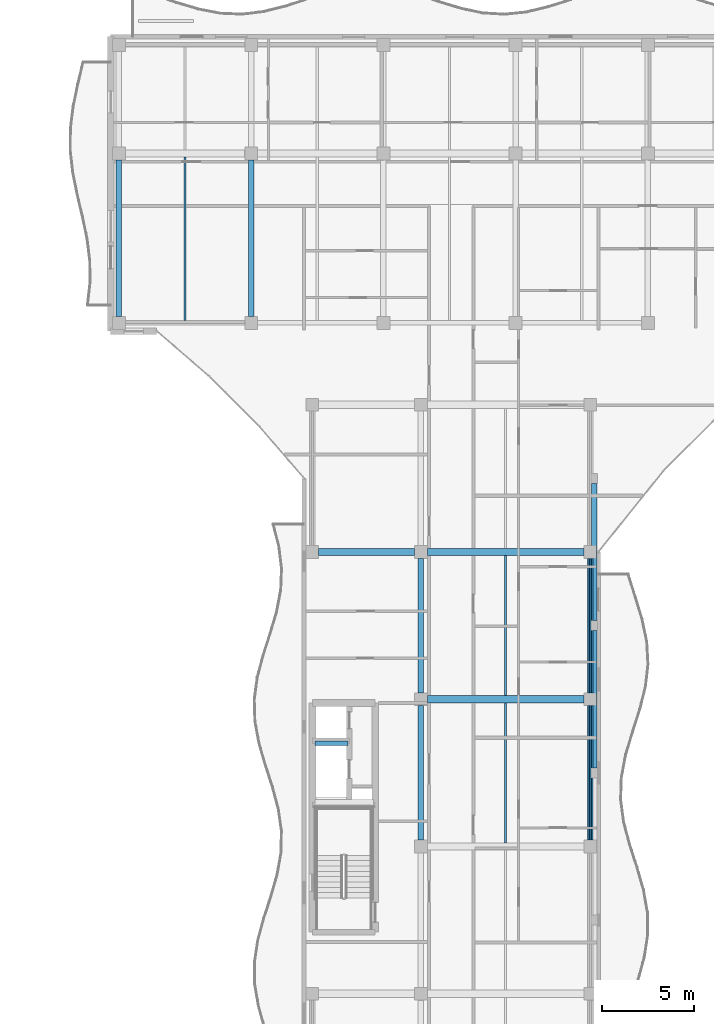
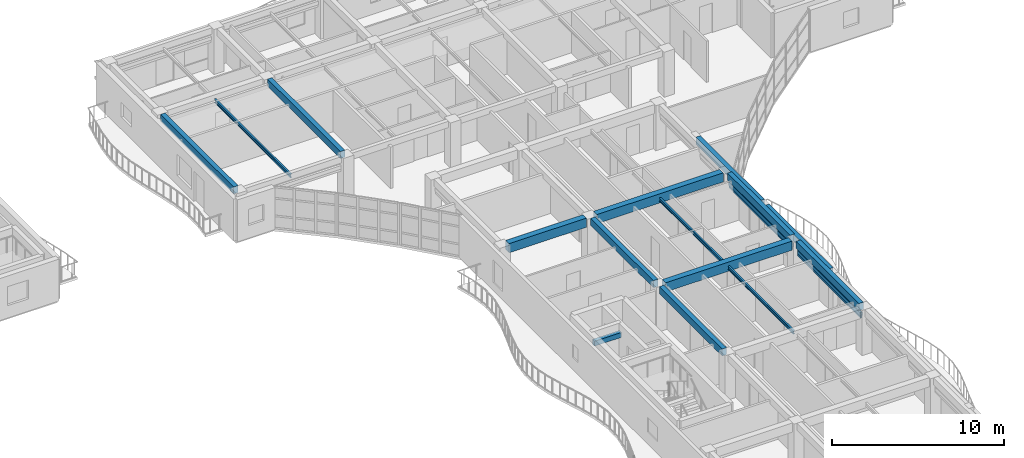
# One storey, part 52 of 128: 15 beams, 4 members.
"""IFC4 building model written with IfcOpenShell, lengths in metres."""

from ifc_helpers import new_model, si_unit, direction, frame, origin, origin_2d, place, context, subcontext, project, spatial, rectangle, hollow_rectangle, i_section, extrude, material, material_profile, profile_set, type_object, element, save


model = new_model("IFC4")

# Units and contexts
model_context = context("Model", 3, precision=1e-05, world=origin(), true_north=direction((0.0, 1.0)))
body_context = subcontext(model_context, "Body", "Model", "MODEL_VIEW")
ifc_project = project(units=[si_unit("LENGTHUNIT", "METRE"), si_unit("AREAUNIT", "SQUARE_METRE"), si_unit("VOLUMEUNIT", "CUBIC_METRE"), si_unit("PLANEANGLEUNIT", "RADIAN"), si_unit("MASSUNIT", "GRAM", prefix="KILO")], contexts=[model_context])

# Site, building, storey
site_placement = place(None, origin())
site = spatial("IfcSite", under=ifc_project, at=site_placement, CompositionType="ELEMENT")
building_placement = place(site_placement, origin())
building = spatial("IfcBuilding", under=site, at=building_placement, Name="Keldmere Railside Commons", CompositionType="ELEMENT")
storey_placement = place(building_placement, frame((0.0, 0.0, 4.159912109375)))
storey = spatial("IfcBuildingStorey", under=building, at=storey_placement, Name="L01", CompositionType="ELEMENT", Elevation=4.159912109375)

# Members
ifc_material_1 = material(Name="Steel F-36 (S355)", Category="steel")
ifc_material_profile_1 = material_profile(ifc_material_1, hollow_rectangle(XDim=0.14990234375, YDim=0.25, WallThickness=0.010009765625, at=origin_2d()), Name="RHS-250x150x10")
ifc_profile_set_1 = profile_set([ifc_material_profile_1], Name="Steel F-36 (S355)")
member_type_1 = type_object("IfcMemberType", Name="Balcony Continuous Planted Trough RHS250x150", PredefinedType="CHORD", material=ifc_profile_set_1)
for number, where, z_axis, x_axis, name in (
    (1, (119.550048828125, 72.35009765625, 2.4150390625), (0.0, 1.0, 0.0), (-1.0, 0.0, 0.0), "PLT-1 MEM-BPLT-0175"),
    (2, (119.550048828125, 80.35009765625, 2.4150390625), (0.0, 1.0, 0.0), (-1.0, 0.0, 0.0), "PLT-1 MEM-BPLT-0177"),
):
    element("IfcMember", number, at=place(storey_placement, frame(where, z_axis=z_axis, x_axis=x_axis)), inside=storey, type_object=member_type_1, Name=name, PredefinedType="CHORD", context=body_context, shape_type="SweptSolid", body=[
        extrude(hollow_rectangle(XDim=0.14990234375, YDim=0.25, WallThickness=0.010009765625, at=origin_2d()), origin(), (0.0, 0.0, 1.0), 7.2998046875),
    ])

# Beams
ifc_material_2 = material(Name="Concrete H-30 (C30/37)", Category="concrete")
ifc_material_profile_2 = material_profile(ifc_material_2, rectangle(XDim=0.25, YDim=0.35009765625, at=origin_2d()), Name="RC-250x350")
ifc_profile_set_2 = profile_set([ifc_material_profile_2], Name="Concrete H-30 (C30/37)")
beam_type_1 = type_object("IfcBeamType", Name="Masonry Opening RC Lintel 250x350", PredefinedType="LINTEL", material=ifc_profile_set_2)
beam_1_placement = place(storey_placement, frame((104.590087890625, 77.60009765625, 2.425048828125), z_axis=(1.0, 0.0, 0.0), x_axis=(0.0, 1.0, 0.0)))
element("IfcBeam", 3, at=beam_1_placement, inside=storey, type_object=beam_type_1, Name="LNT-1 BM-L01-2558", PredefinedType="LINTEL", context=body_context, shape_type="SweptSolid", body=[
    extrude(rectangle(XDim=0.25, YDim=0.35009765625, at=origin_2d()), origin(), (0.0, 0.0, 1.0), 1.809814453125),
])
ifc_material_profile_3 = material_profile(ifc_material_1, i_section(OverallWidth=0.1201171875, OverallDepth=0.239990234375, WebThickness=0.006103515625, FlangeThickness=0.009765625, at=origin_2d()), Name="IPE-240")
ifc_profile_set_3 = profile_set([ifc_material_profile_3], Name="Steel F-36 (S355)")
beam_type_2 = type_object("IfcBeamType", Name="Nursery & Mezzanine Steel Joist IPE240", PredefinedType="JOIST", material=ifc_profile_set_3)
for number, where, z_axis, x_axis, name in (
    (4, (114.949951171875, 72.199951171875, 2.81005859375), (0.0, 1.0, 0.0), (-1.0, 0.0, 0.0), "JST-2 BM-L01-1009"),
    (5, (114.949951171875, 80.199951171875, 2.81005859375), (0.0, 1.0, 0.0), (-1.0, 0.0, 0.0), "JST-2 BM-L01-1012"),
):
    element("IfcBeam", number, at=place(storey_placement, frame(where, z_axis=z_axis, x_axis=x_axis)), inside=storey, type_object=beam_type_2, Name=name, PredefinedType="JOIST", context=body_context, shape_type="SweptSolid", body=[
        extrude(i_section(OverallWidth=0.1201171875, OverallDepth=0.239990234375, WebThickness=0.006103515625, FlangeThickness=0.009765625, at=origin_2d()), origin(), (0.0, 0.0, 1.0), 7.60009765625),
    ])
beam_2_placement = place(storey_placement, frame((97.541015625, 100.574951171875, 2.81005859375), z_axis=(0.0, 1.0, 0.0), x_axis=(-1.0, 0.0, 0.0)))
element("IfcBeam", 6, at=beam_2_placement, inside=storey, type_object=beam_type_2, Name="JST-2 BM-L01-1023", PredefinedType="JOIST", context=body_context, shape_type="SweptSolid", body=[
    extrude(i_section(OverallWidth=0.1201171875, OverallDepth=0.239990234375, WebThickness=0.006103515625, FlangeThickness=0.009765625, at=origin_2d()), origin(), (0.0, 0.0, 1.0), 8.875),
])
ifc_material_profile_4 = material_profile(ifc_material_2, rectangle(XDim=0.39990234375, YDim=0.64990234375, at=origin_2d()), Name="RC-400x650")
ifc_profile_set_4 = profile_set([ifc_material_profile_4], Name="Concrete H-30 (C30/37)")
beam_type_3 = type_object("IfcBeamType", Name="Residential Spine RC Girder 400x650", PredefinedType="BEAM", material=ifc_profile_set_4)
beam_3_placement = place(storey_placement, frame((110.699951171875, 80.0, 2.875), z_axis=(1.0, 0.0, 0.0), x_axis=(0.0, 1.0, 0.0)))
element("IfcBeam", 7, at=beam_3_placement, inside=storey, type_object=beam_type_3, Name="BG-3 BM-L01-0801", PredefinedType="BEAM", context=body_context, shape_type="SweptSolid", body=[
    extrude(rectangle(XDim=0.39990234375, YDim=0.64990234375, at=origin_2d()), origin(), (0.0, 0.0, 1.0), 8.5),
])
beam_4_placement = place(storey_placement, frame((104.800048828125, 88.0, 2.875), z_axis=(1.0, 0.0, 0.0), x_axis=(0.0, 1.0, 0.0)))
element("IfcBeam", 8, at=beam_4_placement, inside=storey, type_object=beam_type_3, Name="BG-3 BM-L01-0807", PredefinedType="BEAM", context=body_context, shape_type="SweptSolid", body=[
    extrude(rectangle(XDim=0.39990234375, YDim=0.64990234375, at=origin_2d()), origin(), (0.0, 0.0, 1.0), 5.199951171875),
])
beam_5_placement = place(storey_placement, frame((110.699951171875, 88.0, 2.875), z_axis=(1.0, 0.0, 0.0), x_axis=(0.0, 1.0, 0.0)))
element("IfcBeam", 9, at=beam_5_placement, inside=storey, type_object=beam_type_3, Name="BG-3 BM-L01-0808", PredefinedType="BEAM", context=body_context, shape_type="SweptSolid", body=[
    extrude(rectangle(XDim=0.39990234375, YDim=0.64990234375, at=origin_2d()), origin(), (0.0, 0.0, 1.0), 8.5),
])
ifc_material_profile_5 = material_profile(ifc_material_2, rectangle(XDim=0.300048828125, YDim=0.5, at=origin_2d()), Name="RC-300x500")
ifc_profile_set_5 = profile_set([ifc_material_profile_5], Name="Concrete H-30 (C30/37)")
beam_type_4 = type_object("IfcBeamType", Name="Secondary Frame RC Beam 300x500", PredefinedType="BEAM", material=ifc_profile_set_5)
for number, where, z_axis, x_axis, name in (
    (10, (93.949951171875, 100.800048828125, 2.9501953125), (0.0, 1.0, 0.0), (-1.0, 0.0, 0.0), "BG-5 BM-L01-0911"),
    (11, (101.133056640625, 100.800048828125, 2.9501953125), (0.0, 1.0, 0.0), (-1.0, 0.0, 0.0), "BG-5 BM-L01-0913"),
):
    element("IfcBeam", number, at=place(storey_placement, frame(where, z_axis=z_axis, x_axis=x_axis)), inside=storey, type_object=beam_type_4, Name=name, PredefinedType="BEAM", context=body_context, shape_type="SweptSolid", body=[
        extrude(rectangle(XDim=0.300048828125, YDim=0.5, at=origin_2d()), origin(), (0.0, 0.0, 1.0), 8.5),
    ])
for number, where, z_axis, x_axis, name in (
    (12, (110.35009765625, 72.35009765625, 2.9501953125), (0.0, 1.0, 0.0), (-1.0, 0.0, 0.0), "BG-5 BM-L01-0921"),
    (13, (110.35009765625, 80.35009765625, 2.9501953125), (0.0, 1.0, 0.0), (-1.0, 0.0, 0.0), "BG-5 BM-L01-0922"),
    (14, (119.550048828125, 72.35009765625, 2.9501953125), (0.0, 1.0, 0.0), (-1.0, 0.0, 0.0), "BG-5 BM-L01-0928"),
    (15, (119.550048828125, 80.35009765625, 2.9501953125), (0.0, 1.0, 0.0), (-1.0, 0.0, 0.0), "BG-5 BM-L01-0929"),
):
    element("IfcBeam", number, at=place(storey_placement, frame(where, z_axis=z_axis, x_axis=x_axis)), inside=storey, type_object=beam_type_4, Name=name, PredefinedType="BEAM", context=body_context, shape_type="SweptSolid", body=[
        extrude(rectangle(XDim=0.300048828125, YDim=0.5, at=origin_2d()), origin(), (0.0, 0.0, 1.0), 7.2998046875),
    ])
for number, where, z_axis, x_axis, name in (
    (16, (119.780029296875, 76.27490234375, 2.9501953125), (0.0, 1.0, 0.0), (-1.0, 0.0, 0.0), "BG-5 BM-L01-0933"),
    (17, (119.780029296875, 84.27490234375, 2.9501953125), (0.0, 1.0, 0.0), (-1.0, 0.0, 0.0), "BG-5 BM-L01-0934"),
):
    element("IfcBeam", number, at=place(storey_placement, frame(where, z_axis=z_axis, x_axis=x_axis)), inside=storey, type_object=beam_type_4, Name=name, PredefinedType="BEAM", context=body_context, shape_type="SweptSolid", body=[
        extrude(rectangle(XDim=0.300048828125, YDim=0.5, at=origin_2d()), origin(), (0.0, 0.0, 1.0), 7.4501953125),
    ])

# Members
ifc_material_profile_6 = material_profile(ifc_material_1, hollow_rectangle(XDim=0.10009765625, YDim=0.159912109375, WallThickness=0.008056640625, at=origin_2d()), Name="RHS-160x100x8")
ifc_profile_set_6 = profile_set([ifc_material_profile_6], Name="Steel F-36 (S355)")
member_type_2 = type_object("IfcMemberType", Name="Solar Brise-Soleil Louvre Fin RHS160x100", PredefinedType="STRUT", material=ifc_profile_set_6)
for number, where, z_axis, x_axis, name in (
    (18, (119.550048828125, 72.35009765625, 2.2001953125), (0.0, 1.0, 0.0), (-1.0, 0.0, 0.0), "BSF-1 MEM-BSF-0176"),
    (19, (119.550048828125, 80.35009765625, 2.2001953125), (0.0, 1.0, 0.0), (-1.0, 0.0, 0.0), "BSF-1 MEM-BSF-0178"),
):
    element("IfcMember", number, at=place(storey_placement, frame(where, z_axis=z_axis, x_axis=x_axis)), inside=storey, type_object=member_type_2, Name=name, PredefinedType="STRUT", context=body_context, shape_type="SweptSolid", body=[
        extrude(hollow_rectangle(XDim=0.10009765625, YDim=0.159912109375, WallThickness=0.008056640625, at=origin_2d()), origin(), (0.0, 0.0, 1.0), 7.2998046875),
    ])

save(model, "model.ifc")
